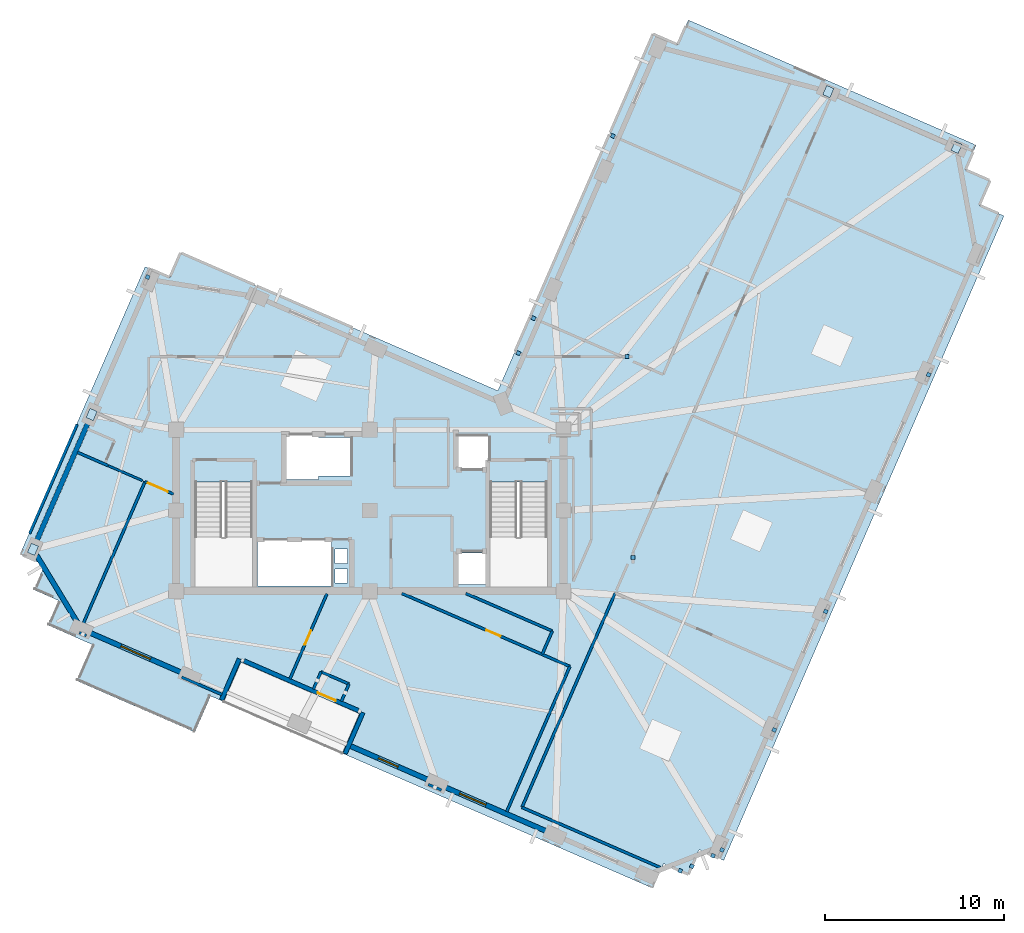
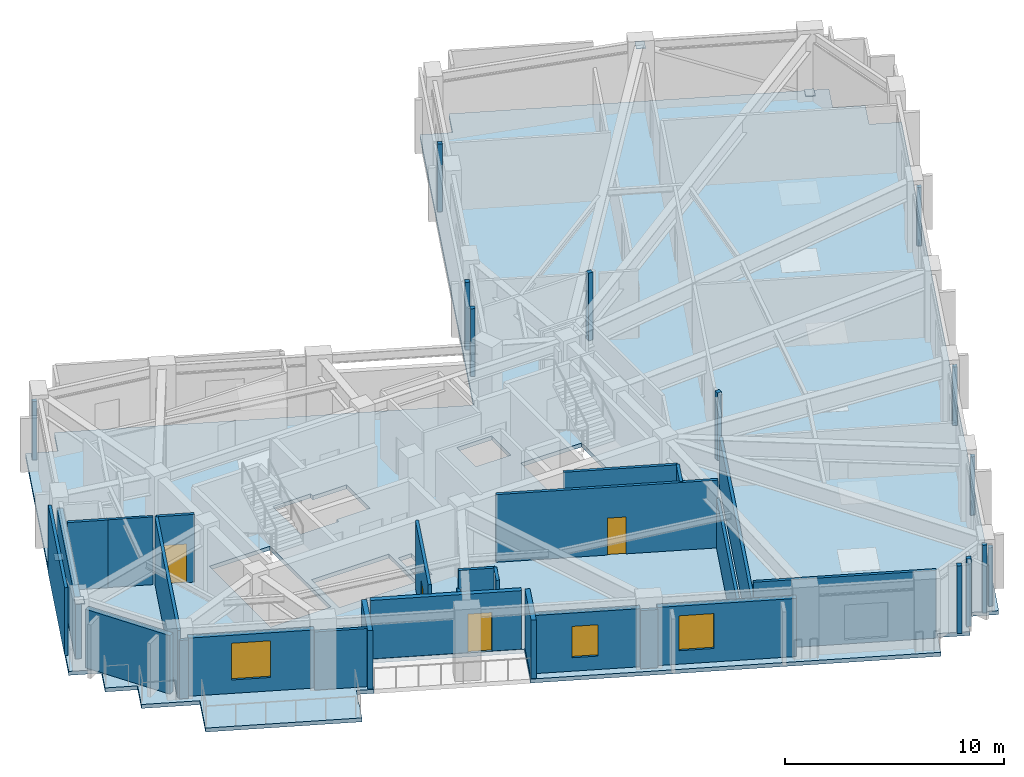
# One storey, part 4 of 12: 26 walls, 17 plates, 4 doors, 3 windows, 1 slab, 7 openings.
"""IFC4 building model written with IfcOpenShell, lengths in metres."""

from ifc_helpers import new_model, si_unit, direction, frame, frame_2d, origin, origin_2d, place, context, subcontext, project, spatial, polyline, rectangle, outline, extrude, material, layer, layer_set, type_object, element, fill, save


model = new_model("IFC4")

# Units and contexts
model_context = context("Model", 3, precision=1e-05, world=origin(), true_north=direction((0.0, 1.0)))
body_context = subcontext(model_context, "Body", "Model", "MODEL_VIEW")
ifc_project = project(units=[si_unit("LENGTHUNIT", "METRE"), si_unit("AREAUNIT", "SQUARE_METRE"), si_unit("VOLUMEUNIT", "CUBIC_METRE"), si_unit("PLANEANGLEUNIT", "RADIAN"), si_unit("MASSUNIT", "GRAM", prefix="KILO")], contexts=[model_context])

# Site, building, storey
site_placement = place(None, origin())
site = spatial("IfcSite", under=ifc_project, at=site_placement, CompositionType="ELEMENT")
building_placement = place(site_placement, origin())
building = spatial("IfcBuilding", under=site, at=building_placement, Name="Gaonmaruhae Medical Tower", CompositionType="ELEMENT")
storey_placement = place(building_placement, frame((0.0, 0.0, 312.60009765625)))
storey = spatial("IfcBuildingStorey", under=building, at=storey_placement, Name="L75", CompositionType="ELEMENT", Elevation=312.60009765625)

# Slab
ifc_material_1 = material(Name="Concrete C40/50", Category="concrete")
ifc_layer_1 = layer(ifc_material_1, 0.219970703125)
ifc_layer_set_1 = layer_set([ifc_layer_1], Name="Concrete C40/50")
slab_type = type_object("IfcSlabType", Name="FS-220 Clinical Ward Composite Floor Slab", PredefinedType="FLOOR", material=ifc_layer_set_1)
slab_placement = place(storey_placement, frame((0.0, 0.0, -0.22021484375)))
element("IfcSlab", 1, at=slab_placement, inside=storey, type_object=slab_type, Name="L75 Structural Slab 1", PredefinedType="FLOOR", context=body_context, shape_type="SweptSolid", body=[
    extrude(outline(polyline([(7.443115234375, 7.276611328125), (6.0673828125, 7.874755859375), (6.665771484375, 9.25048828125), (5.2900390625, 9.848388671875), (12.268310546875, 25.89697265625), (13.643798828125, 25.298828125), (14.241943359375, 26.674560546875), (31.941162109375, 18.978515625), (40.593994140625, 38.87890625), (41.969482421875, 38.28076171875), (42.567626953125, 39.65625), (58.6162109375, 32.67822265625), (58.01806640625, 31.302490234375), (59.393798828125, 30.70458984375), (58.795654296875, 29.328857421875), (60.171142578125, 28.730712890625), (44.540283203125, -7.218017578125), (43.164794921875, -6.619873046875), (42.56640625, -7.995361328125), (41.19091796875, -7.397216796875), (40.5927734375, -8.77294921875), (23.260498046875, -1.236572265625), (24.21728515625, 0.96435546875), (17.614501953125, 3.83544921875), (16.657470703125, 1.634521484375), (15.923828125, 1.953369140625), (15.046630859375, -0.064208984375), (8.44384765625, 2.806884765625), (9.321044921875, 4.824462890625), (6.844970703125, 5.901123046875), (7.443115234375, 7.276611328125)]), holes=[polyline([(23.550048828125, 8.25), (22.85009765625, 8.25), (22.85009765625, 9.050048828125), (23.550048828125, 9.050048828125), (23.550048828125, 8.25)]), polyline([(29.574951171875, 9.925048828125), (31.425048828125, 9.925048828125), (31.425048828125, 8.175048828125), (29.574951171875, 8.175048828125), (29.574951171875, 9.925048828125)]), polyline([(18.550048828125, 10.625), (22.64990234375, 10.625), (22.64990234375, 8.074951171875), (18.550048828125, 8.074951171875), (18.550048828125, 10.625)]), polyline([(23.550048828125, 9.35009765625), (22.85009765625, 9.35009765625), (22.85009765625, 10.14990234375), (23.550048828125, 10.14990234375), (23.550048828125, 9.35009765625)]), polyline([(15.050048828125, 13.889892578125), (18.25, 13.889892578125), (18.25, 8.300048828125), (15.050048828125, 8.300048828125), (15.050048828125, 13.889892578125)]), polyline([(31.5, 13.889892578125), (34.699951171875, 13.889892578125), (34.699951171875, 8.300048828125), (31.5, 8.300048828125), (31.5, 13.889892578125)]), polyline([(23.72509765625, 14.22509765625), (21.949951171875, 14.22509765625), (21.949951171875, 14.02490234375), (19.949951171875, 14.02490234375), (19.949951171875, 16.574951171875), (21.949951171875, 16.574951171875), (21.949951171875, 16.375), (23.72509765625, 16.375), (23.72509765625, 14.22509765625)]), polyline([(31.425048828125, 16.425048828125), (31.425048828125, 14.675048828125), (29.574951171875, 14.675048828125), (29.574951171875, 16.425048828125), (31.425048828125, 16.425048828125)])]), origin(), (0.0, 0.0, 1.0), 0.22021484375),
])

# Plates
ifc_material_2 = material(Name="Steel HSA650 (650 MPa)", Category="steel")
ifc_layer_2 = layer(ifc_material_2, 0.028076171875)
ifc_layer_set_2 = layer_set([ifc_layer_2], Name="Steel HSA650 (650 MPa)")
plate_type_1 = type_object("IfcPlateType", Name="GP-02 Tube Brace End Cap Gusset Plate", PredefinedType="USERDEFINED", material=ifc_layer_set_2)
for number, where, z_axis, x_axis, name in (
    (2, (57.525634765625, 32.552734375, 0.23583984375), (0.0, 0.0, 1.0), (0.398749068925, 0.917060074385, 0.0), "L75 Gusset Cap Plate PLT-L75-PBR-E01A"),
    (3, (50.372802734375, 35.662841796875, 3.515625), (0.0, 0.0, 1.0), (0.398749068925, 0.917060074385, 0.0), "L75 Gusset Cap Plate PLT-L75-PBR-E01B"),
    (4, (9.283447265625, 17.653564453125, 0.23583984375), (0.0, 0.0, 1.0), (0.398749068925, 0.917060074385, 0.0), "L75 Gusset Cap Plate PLT-L75-PBR-N02A"),
    (5, (6.013671875, 10.133544921875, 3.515625), (0.0, 0.0, 1.0), (0.398749068925, 0.917060074385, 0.0), "L75 Gusset Cap Plate PLT-L75-PBR-N02B"),
):
    element("IfcPlate", number, at=place(storey_placement, frame(where, z_axis=z_axis, x_axis=x_axis)), inside=storey, type_object=plate_type_1, Name=name, ObjectType="GUSSET_PLATE", PredefinedType="USERDEFINED", context=body_context, shape_type="SweptSolid", body=[
        extrude(rectangle(XDim=0.56005859375, YDim=0.43994140625, at=origin_2d()), origin(), (0.0, 0.0, 1.0), 0.028076171875),
    ])
ifc_material_3 = material(Name="Anodised aluminium 6063-T6", Category="aluminium")
ifc_layer_3 = layer(ifc_material_3, 0.011962890625)
ifc_layer_set_3 = layer_set([ifc_layer_3], Name="Anodised aluminium 6063-T6")
plate_type_2 = type_object("IfcPlateType", Name="PP-01 Interior Partition Corner Stiffener Plate", PredefinedType="SHEET", material=ifc_layer_set_3)
plate_1_placement = place(storey_placement, frame((42.114501953125, -7.798583984375, 0.0), z_axis=(0.0, 0.0, 1.0), x_axis=(-0.917247878626, 0.398316870288, 0.0)))
element("IfcPlate", 6, at=plate_1_placement, inside=storey, type_object=plate_type_2, Name="L75 Partition Corner Stiffener Plate PLT-L75-JGP-PW008", PredefinedType="SHEET", context=body_context, shape_type="SweptSolid", body=[
    extrude(rectangle(XDim=0.219970703125, YDim=0.219970703125, at=origin_2d()), origin(), (0.0, 0.0, 1.0), 3.780029296875),
])
for number, where, z_axis, x_axis, name in (
    (7, (47.357421875, 0.0625, 0.0), (0.0, 0.0, 1.0), (-0.398765074582, -0.917053114761, 0.0), "L75 Partition Corner Stiffener Plate PLT-L75-JGP-PW012"),
    (8, (44.446044921875, -6.633056640625, 0.0), (0.0, 0.0, 1.0), (-0.399245187787, -0.916844196158, 0.0), "L75 Partition Corner Stiffener Plate PLT-L75-JGP-PW013"),
):
    element("IfcPlate", number, at=place(storey_placement, frame(where, z_axis=z_axis, x_axis=x_axis)), inside=storey, type_object=plate_type_2, Name=name, PredefinedType="SHEET", context=body_context, shape_type="SweptSolid", body=[
        extrude(rectangle(XDim=0.219970703125, YDim=0.219970703125, at=origin_2d()), origin(), (0.0, 0.0, 1.0), 3.264892578125),
    ])
for number, where, z_axis, x_axis, name in (
    (9, (43.94091796875, -6.95703125, 0.0), (0.0, 0.0, 1.0), (-0.917115741319, 0.398621019297, 0.0), "L75 Partition Corner Stiffener Plate PLT-L75-JGP-PW014"),
    (10, (42.763916015625, -7.54248046875, 0.0), (0.0, 0.0, 1.0), (-0.399165176517, -0.916879033383, 0.0), "L75 Partition Corner Stiffener Plate PLT-L75-JGP-PW015"),
    (11, (39.47998046875, 9.6669921875, 0.0), (0.0, 0.0, 1.0), (0.0, 1.0, 0.0), "L75 Partition Corner Stiffener Plate PLT-L75-JGP-PW016"),
):
    element("IfcPlate", number, at=place(storey_placement, frame(where, z_axis=z_axis, x_axis=x_axis)), inside=storey, type_object=plate_type_2, Name=name, PredefinedType="SHEET", context=body_context, shape_type="SweptSolid", body=[
        extrude(rectangle(XDim=0.219970703125, YDim=0.219970703125, at=origin_2d()), origin(), (0.0, 0.0, 1.0), 3.780029296875),
    ])
for number, where, z_axis, x_axis, name in (
    (12, (50.2275390625, 6.66552734375, 0.0), (0.0, 0.0, 1.0), (-0.398765074582, -0.917053114761, 0.0), "L75 Partition Corner Stiffener Plate PLT-L75-JGP-PW019"),
    (13, (55.970458984375, 19.87158203125, 0.0), (0.0, 0.0, 1.0), (-0.398765074582, -0.917053114761, 0.0), "L75 Partition Corner Stiffener Plate PLT-L75-JGP-PW023"),
):
    element("IfcPlate", number, at=place(storey_placement, frame(where, z_axis=z_axis, x_axis=x_axis)), inside=storey, type_object=plate_type_2, Name=name, PredefinedType="SHEET", context=body_context, shape_type="SweptSolid", body=[
        extrude(rectangle(XDim=0.219970703125, YDim=0.219970703125, at=origin_2d()), origin(), (0.0, 0.0, 1.0), 3.264892578125),
    ])
for number, where, z_axis, x_axis, name in (
    (14, (39.155029296875, 20.8798828125, 0.0), (0.0, 0.0, 1.0), (-1.0, 0.0, 0.0), "L75 Partition Corner Stiffener Plate PLT-L75-JGP-PW061"),
    (15, (33.935546875, 23.02099609375, 0.0), (0.0, 0.0, 1.0), (-0.916628049537, 0.399741189774, 0.0), "L75 Partition Corner Stiffener Plate PLT-L75-JGP-PW063"),
    (16, (38.3564453125, 33.18798828125, 0.0), (0.0, 0.0, 1.0), (0.916628049537, -0.399741189774, 0.0), "L75 Partition Corner Stiffener Plate PLT-L75-JGP-PW065"),
):
    element("IfcPlate", number, at=place(storey_placement, frame(where, z_axis=z_axis, x_axis=x_axis)), inside=storey, type_object=plate_type_2, Name=name, PredefinedType="SHEET", context=body_context, shape_type="SweptSolid", body=[
        extrude(rectangle(XDim=0.219970703125, YDim=0.219970703125, at=origin_2d()), origin(), (0.0, 0.0, 1.0), 3.780029296875),
    ])
plate_2_placement = place(storey_placement, frame((12.408935546875, 25.319091796875, 0.0), z_axis=(0.0, 0.0, 1.0), x_axis=(0.399261189676, 0.916837227876, 0.0)))
element("IfcPlate", 17, at=plate_2_placement, inside=storey, type_object=plate_type_2, Name="L75 Partition Corner Stiffener Plate PLT-L75-JGP-PW082", PredefinedType="SHEET", context=body_context, shape_type="SweptSolid", body=[
    extrude(rectangle(XDim=0.219970703125, YDim=0.219970703125, at=origin_2d()), origin(), (0.0, 0.0, 1.0), 3.264892578125),
])
plate_3_placement = place(storey_placement, frame((33.089599609375, 21.074462890625, 0.0), z_axis=(0.0, 0.0, 1.0), x_axis=(-0.917470197664, 0.397804520334, 0.0)))
element("IfcPlate", 18, at=plate_3_placement, inside=storey, type_object=plate_type_2, Name="L75 Partition Corner Stiffener Plate PLT-L75-JGP-PW093", PredefinedType="SHEET", context=body_context, shape_type="SweptSolid", body=[
    extrude(rectangle(XDim=0.219970703125, YDim=0.219970703125, at=origin_2d()), origin(), (0.0, 0.0, 1.0), 3.780029296875),
])

# Wall, opening, door
ifc_material_4 = material(Name="Precast concrete C45/55", Category="concrete")
ifc_layer_4 = layer(ifc_material_4, 0.239990234375)
ifc_layer_set_4 = layer_set([ifc_layer_4], Name="Precast concrete C45/55")
wall_type_1 = type_object("IfcWallType", Name="EW-240 Ribbon & Shelter Insulated Precast Wall", PredefinedType="SOLIDWALL", material=ifc_layer_set_4)
wall_1_placement = place(storey_placement, frame((24.1630859375, 1.140625, 0.0), z_axis=(0.0, 0.0, 1.0), x_axis=(-0.917051093992, 0.39876972178, 0.0)))
wall_1 = element("IfcWall", 19, at=wall_1_placement, inside=storey, type_object=wall_type_1, Name="L75 Recessed Terrace Enclosure Wall TERB", PredefinedType="SOLIDWALL", context=body_context, shape_type="SweptSolid", body=[
    extrude(rectangle(XDim=6.9599609375, YDim=0.239990234375, at=frame_2d((3.47998046875, 0.0))), origin(), (0.0, 0.0, 1.0), 3.264892578125),
])
opening_1_placement = place(wall_1_placement, frame((1.373291015625, 0.0, 0.0)))
opening_1 = element("IfcOpeningElement", 20, at=opening_1_placement, cuts=wall_1, Name="Opening TD-01", PredefinedType="OPENING", context=body_context, shape_type="SweptSolid", body=[
    extrude(rectangle(XDim=1.10009765625, YDim=2.14990234375, at=frame_2d((0.550048828125, 1.074951171875))), frame((0.0, 0.1298828125, 0.0), z_axis=(0.0, -1.0, 0.0), x_axis=(1.0, 0.0, 0.0)), (0.0, 0.0, 1.0), 0.260009765625),
])
ifc_material_5 = material(Name="Anodised aluminium and toughened safety glass", Category="aluminium")
door_type_1 = type_object("IfcDoorType", Name="TD-01 Terrace & Sky Garden Glazed Door 1100x2150", OperationType="NOTDEFINED", PredefinedType="DOOR", material=ifc_material_5)
door_1_placement = place(opening_1_placement, origin())
door_1 = element("IfcDoor", 21, at=door_1_placement, inside=storey, type_object=door_type_1, Name="L75 Outdoor Terrace Access Door SLB-L75-TER", OperationType="SINGLE_SWING_RIGHT", OverallHeight=2.14990234375, OverallWidth=1.10009765625, PredefinedType="DOOR", context=body_context, shape_type="SweptSolid", body=[
    extrude(rectangle(XDim=1.10009765625, YDim=2.14990234375, at=frame_2d((0.550048828125, 1.074951171875))), frame((0.0, 0.02490234375, 0.0), z_axis=(0.0, -1.0, 0.0), x_axis=(1.0, 0.0, 0.0)), (0.0, 0.0, 1.0), 0.050048828125),
])
fill(opening_1, door_1)

# Walls
for number, where, z_axis, x_axis, name in (
    (22, (23.423095703125, -1.263671875, 0.0), (0.0, 0.0, 1.0), (0.398722540586, 0.917071608779, 0.0), "L75 Recessed Terrace Enclosure Wall TERL"),
    (23, (17.523681640625, 4.027587890625, 0.0), (0.0, 0.0, 1.0), (-0.398722540586, -0.917071608779, 0.0), "L75 Recessed Terrace Enclosure Wall TERR"),
):
    element("IfcWall", number, at=place(storey_placement, frame(where, z_axis=z_axis, x_axis=x_axis)), inside=storey, type_object=wall_type_1, Name=name, PredefinedType="SOLIDWALL", context=body_context, shape_type="SweptSolid", body=[
        extrude(rectangle(XDim=2.5, YDim=0.239990234375, at=frame_2d((1.25, 0.0))), origin(), (0.0, 0.0, 1.0), 3.264892578125),
    ])
ifc_layer_5 = layer(ifc_material_4, 0.280029296875)
ifc_layer_set_5 = layer_set([ifc_layer_5], Name="Precast concrete C45/55")
wall_type_2 = type_object("IfcWallType", Name="EW-280 Upper Precast Masonry-Frame Facade Wall", PredefinedType="SOLIDWALL", material=ifc_layer_set_5)
wall_2_placement = place(storey_placement, frame((6.17236328125, 10.498046875, 0.0), z_axis=(0.0, 0.0, 1.0), x_axis=(0.398740578379, 0.917063766133, 0.0)))
element("IfcWall", 24, at=wall_2_placement, inside=storey, type_object=wall_type_2, Name="L75 Precast Masonry-Frame Wall N02-N03", PredefinedType="SOLIDWALL", context=body_context, shape_type="SweptSolid", body=[
    extrude(rectangle(XDim=7.40478515625, YDim=0.280029296875, at=frame_2d((3.702392578125, 0.0))), origin(), (0.0, 0.0, 1.0), 3.264892578125),
])
wall_3_placement = place(storey_placement, frame((8.508544921875, 6.02734375, 0.0), z_axis=(0.0, 0.0, 1.0), x_axis=(-0.51924554751, 0.854625099907, 0.0)))
element("IfcWall", 25, at=wall_3_placement, inside=storey, type_object=wall_type_2, Name="L75 Precast Masonry-Frame Wall N03-W01", PredefinedType="SOLIDWALL", context=body_context, shape_type="SweptSolid", body=[
    extrude(rectangle(XDim=4.406982421875, YDim=0.280029296875, at=frame_2d((2.20361328125, 0.0))), origin(), (0.0, 0.0, 1.0), 3.264892578125),
])

# Wall, opening, window
wall_4_placement = place(storey_placement, frame((14.403076171875, 3.214599609375, 0.0), z_axis=(0.0, 0.0, 1.0), x_axis=(-0.917061363729, 0.398746103624, 0.0)))
wall_4 = element("IfcWall", 26, at=wall_4_placement, inside=storey, type_object=wall_type_2, Name="L75 Precast Masonry-Frame Wall W01-W02", PredefinedType="SOLIDWALL", context=body_context, shape_type="SweptSolid", body=[
    extrude(rectangle(XDim=5.804931640625, YDim=0.280029296875, at=frame_2d((2.90234375, 0.0))), origin(), (0.0, 0.0, 1.0), 3.244873046875),
])
opening_2_placement = place(wall_4_placement, frame((2.00244140625, 0.0, 0.75)))
opening_2 = element("IfcOpeningElement", 27, at=opening_2_placement, cuts=wall_4, Name="Opening WN-04", PredefinedType="OPENING", context=body_context, shape_type="SweptSolid", body=[
    extrude(rectangle(XDim=1.800048828125, YDim=2.050048828125, at=frame_2d((0.89990234375, 1.02490234375))), frame((0.0, 0.14990234375, 0.0), z_axis=(0.0, -1.0, 0.0), x_axis=(1.0, 0.0, 0.0)), (0.0, 0.0, 1.0), 0.300048828125),
])
ifc_material_6 = material(Name="Anodised aluminium and Low-E double glazing", Category="aluminium")
window_type_1 = type_object("IfcWindowType", Name="WN-04 Clinic & Consult Punched Window 1800x2050", PartitioningType="SINGLE_PANEL", PredefinedType="WINDOW", material=ifc_material_6)
window_1_placement = place(opening_2_placement, origin())
window_1 = element("IfcWindow", 28, at=window_1_placement, inside=storey, type_object=window_type_1, Name="L75 Modular Facade Window W01", OverallHeight=2.050048828125, OverallWidth=1.800048828125, PartitioningType="SINGLE_PANEL", PredefinedType="WINDOW", context=body_context, shape_type="SweptSolid", body=[
    extrude(rectangle(XDim=1.800048828125, YDim=2.050048828125, at=frame_2d((0.89990234375, 1.02490234375))), frame((0.0, 0.030029296875, 0.0), z_axis=(0.0, -1.0, 0.0), x_axis=(1.0, 0.0, 0.0)), (0.0, 0.0, 1.0), 0.06005859375),
])
fill(opening_2, window_1)

wall_5_placement = place(storey_placement, frame((28.158935546875, -2.766845703125, 0.0), z_axis=(0.0, 0.0, 1.0), x_axis=(-0.917054285326, 0.398762382586, 0.0)))
wall_5 = element("IfcWall", 29, at=wall_5_placement, inside=storey, type_object=wall_type_2, Name="L75 Precast Masonry-Frame Wall W03-W04", PredefinedType="SOLIDWALL", context=body_context, shape_type="SweptSolid", body=[
    extrude(rectangle(XDim=4.92236328125, YDim=0.280029296875, at=frame_2d((2.461181640625, 0.0))), origin(), (0.0, 0.0, 1.0), 3.244873046875),
])
opening_3_placement = place(wall_5_placement, frame((1.936279296875, 0.0, 0.75)))
opening_3 = element("IfcOpeningElement", 30, at=opening_3_placement, cuts=wall_5, Name="Opening WN-05", PredefinedType="OPENING", context=body_context, shape_type="SweptSolid", body=[
    extrude(rectangle(XDim=1.199951171875, YDim=1.75, at=frame_2d((0.60009765625, 0.875))), frame((0.0, 0.14990234375, 0.0), z_axis=(0.0, -1.0, 0.0), x_axis=(1.0, 0.0, 0.0)), (0.0, 0.0, 1.0), 0.300048828125),
])
window_type_2 = type_object("IfcWindowType", Name="WN-05 Support & Staff Punched Window 1200x1750", PartitioningType="SINGLE_PANEL", PredefinedType="WINDOW", material=ifc_material_6)
window_2_placement = place(opening_3_placement, origin())
window_2 = element("IfcWindow", 31, at=window_2_placement, inside=storey, type_object=window_type_2, Name="L75 Modular Facade Window W03", OverallHeight=1.75, OverallWidth=1.199951171875, PartitioningType="SINGLE_PANEL", PredefinedType="WINDOW", context=body_context, shape_type="SweptSolid", body=[
    extrude(rectangle(XDim=1.199951171875, YDim=1.75, at=frame_2d((0.60009765625, 0.875))), frame((0.0, 0.030029296875, 0.0), z_axis=(0.0, -1.0, 0.0), x_axis=(1.0, 0.0, 0.0)), (0.0, 0.0, 1.0), 0.06005859375),
])
fill(opening_3, window_2)

wall_6_placement = place(storey_placement, frame((34.76171875, -5.6376953125, 0.0), z_axis=(0.0, 0.0, 1.0), x_axis=(-0.917056117272, 0.398758169539, 0.0)))
wall_6 = element("IfcWall", 32, at=wall_6_placement, inside=storey, type_object=wall_type_2, Name="L75 Precast Masonry-Frame Wall W04-W05", PredefinedType="SOLIDWALL", context=body_context, shape_type="SweptSolid", body=[
    extrude(rectangle(XDim=6.40478515625, YDim=0.280029296875, at=frame_2d((3.202392578125, 0.0))), origin(), (0.0, 0.0, 1.0), 3.244873046875),
])
opening_4_placement = place(wall_6_placement, frame((3.80126953125, 0.0, 0.75)))
opening_4 = element("IfcOpeningElement", 33, at=opening_4_placement, cuts=wall_6, Name="Opening WN-01", PredefinedType="OPENING", context=body_context, shape_type="SweptSolid", body=[
    extrude(rectangle(XDim=1.60009765625, YDim=1.949951171875, at=frame_2d((0.800048828125, 0.97509765625))), frame((0.0, 0.14990234375, 0.0), z_axis=(0.0, -1.0, 0.0), x_axis=(1.0, 0.0, 0.0)), (0.0, 0.0, 1.0), 0.300048828125),
])
window_type_3 = type_object("IfcWindowType", Name="WN-01 Ward Punched Acoustic Window 1600x1950", PartitioningType="SINGLE_PANEL", PredefinedType="WINDOW", material=ifc_material_6)
window_3_placement = place(opening_4_placement, origin())
window_3 = element("IfcWindow", 34, at=window_3_placement, inside=storey, type_object=window_type_3, Name="L75 Modular Facade Window W04", OverallHeight=1.949951171875, OverallWidth=1.60009765625, PartitioningType="SINGLE_PANEL", PredefinedType="WINDOW", context=body_context, shape_type="SweptSolid", body=[
    extrude(rectangle(XDim=1.60009765625, YDim=1.949951171875, at=frame_2d((0.800048828125, 0.97509765625))), frame((0.0, 0.030029296875, 0.0), z_axis=(0.0, -1.0, 0.0), x_axis=(1.0, 0.0, 0.0)), (0.0, 0.0, 1.0), 0.06005859375),
])
fill(opening_4, window_3)

# Walls
ifc_material_7 = material(Name="Gypsum board partition", Category="gypsum")
ifc_layer_6 = layer(ifc_material_7, 0.125)
ifc_layer_set_6 = layer_set([ifc_layer_6], Name="Gypsum board partition")
wall_type_3 = type_object("IfcWallType", Name="PW-125 Ward & En-Suite Acoustic Partition", PredefinedType="PARTITIONING", material=ifc_layer_set_6)
wall_7_placement = place(storey_placement, frame((10.219970703125, 14.79296875, 0.0), z_axis=(0.0, 0.0, 1.0), x_axis=(0.916985473765, -0.398920594735, 0.0)))
element("IfcWall", 35, at=wall_7_placement, inside=storey, type_object=wall_type_3, Name="L75 Interior Partition L75-ENS01-51", PredefinedType="PARTITIONING", context=body_context, shape_type="SweptSolid", body=[
    extrude(rectangle(XDim=2.0654296875, YDim=0.125, at=frame_2d((1.03271484375, 0.0))), origin(), (0.0, 0.0, 1.0), 3.77978515625),
])
ifc_layer_7 = layer(ifc_material_7, 0.14990234375)
ifc_layer_set_7 = layer_set([ifc_layer_7], Name="Gypsum board partition")
wall_type_4 = type_object("IfcWallType", Name="PW-150 Rated Clinical Corridor Partition", PredefinedType="PARTITIONING", material=ifc_layer_set_7)
wall_8_placement = place(storey_placement, frame((41.0, -7.614990234375, 0.0), z_axis=(0.0, 0.0, 1.0), x_axis=(-0.917025755435, 0.398827987821, 0.0)))
element("IfcWall", 36, at=wall_8_placement, inside=storey, type_object=wall_type_4, Name="L75 Interior Partition L75-SUP01-9", PredefinedType="PARTITIONING", context=body_context, shape_type="SweptSolid", body=[
    extrude(rectangle(XDim=8.412109375, YDim=0.14990234375, at=frame_2d((4.2060546875, 0.0))), origin(), (0.0, 0.0, 1.0), 3.77978515625),
])
wall_9_placement = place(storey_placement, frame((33.285888671875, -4.260009765625, 0.0), z_axis=(0.0, 0.0, 1.0), x_axis=(0.398794571869, 0.9170402878, 0.0)))
element("IfcWall", 37, at=wall_9_placement, inside=storey, type_object=wall_type_4, Name="L75 Interior Partition L75-SUP01-10", PredefinedType="PARTITIONING", context=body_context, shape_type="SweptSolid", body=[
    extrude(rectangle(XDim=13.039794921875, YDim=0.14990234375, at=frame_2d((6.52001953125, 0.0))), origin(), (0.0, 0.0, 1.0), 2.764892578125),
])
wall_10_placement = place(storey_placement, frame((28.7958984375, -3.294921875, 0.0), z_axis=(0.0, 0.0, 1.0), x_axis=(-0.91709935105, 0.398658726612, 0.0)))
element("IfcWall", 38, at=wall_10_placement, inside=storey, type_object=wall_type_4, Name="L75 Interior Partition L75-WOF05-31", PredefinedType="PARTITIONING", context=body_context, shape_type="SweptSolid", body=[
    extrude(rectangle(XDim=0.794921875, YDim=0.14990234375, at=frame_2d((0.3974609375, 0.0))), origin(), (0.0, 0.0, 1.0), 3.244873046875),
])
wall_11_placement = place(storey_placement, frame((23.217041015625, 1.656005859375, 0.0), z_axis=(0.0, 0.0, 1.0), x_axis=(0.399081590712, 0.916915418103, 0.0)))
element("IfcWall", 39, at=wall_11_placement, inside=storey, type_object=wall_type_4, Name="L75 Interior Partition L75-WOF05-32", PredefinedType="PARTITIONING", context=body_context, shape_type="SweptSolid", body=[
    extrude(rectangle(XDim=1.0546875, YDim=0.14990234375, at=frame_2d((0.52734375, 0.0))), origin(), (0.0, 0.0, 1.0), 3.77978515625),
])
wall_12_placement = place(storey_placement, frame((23.637939453125, 2.623046875, 0.0), z_axis=(0.0, 0.0, 1.0), x_axis=(-0.917022099739, 0.398836393262, 0.0)))
element("IfcWall", 40, at=wall_12_placement, inside=storey, type_object=wall_type_4, Name="L75 Interior Partition L75-WOF05-33", PredefinedType="PARTITIONING", context=body_context, shape_type="SweptSolid", body=[
    extrude(rectangle(XDim=1.699951171875, YDim=0.14990234375, at=frame_2d((0.85009765625, 0.0))), origin(), (0.0, 0.0, 1.0), 3.77978515625),
])
wall_13_placement = place(storey_placement, frame((22.0791015625, 3.301025390625, 0.0), z_axis=(0.0, 0.0, 1.0), x_axis=(-0.399276181733, -0.916830699039, 0.0)))
element("IfcWall", 41, at=wall_13_placement, inside=storey, type_object=wall_type_4, Name="L75 Interior Partition L75-WOF05-34", PredefinedType="PARTITIONING", context=body_context, shape_type="SweptSolid", body=[
    extrude(rectangle(XDim=1.0546875, YDim=0.14990234375, at=frame_2d((0.52734375, 0.0))), origin(), (0.0, 0.0, 1.0), 2.744873046875),
])

# Wall, opening, door
wall_14_placement = place(storey_placement, frame((20.344970703125, 2.905029296875, 0.0), z_axis=(0.0, 0.0, 1.0), x_axis=(0.398819215719, 0.917029570501, 0.0)))
wall_14 = element("IfcWall", 42, at=wall_14_placement, inside=storey, type_object=wall_type_4, Name="L75 Interior Partition L75-WOF05-35", PredefinedType="PARTITIONING", context=body_context, shape_type="SweptSolid", body=[
    extrude(rectangle(XDim=5.177734375, YDim=0.14990234375, at=frame_2d((2.5888671875, 0.0))), origin(), (0.0, 0.0, 1.0), 3.77978515625),
])
opening_5_placement = place(wall_14_placement, frame((2.0751953125, 0.0, 0.0)))
opening_5 = element("IfcOpeningElement", 43, at=opening_5_placement, cuts=wall_14, Name="Opening AD-01", PredefinedType="OPENING", context=body_context, shape_type="SweptSolid", body=[
    extrude(rectangle(XDim=0.860107421875, YDim=2.06005859375, at=frame_2d((0.43017578125, 1.030029296875))), frame((0.0, 0.0849609375, 0.0), z_axis=(0.0, -1.0, 0.0), x_axis=(1.0, 0.0, 0.0)), (0.0, 0.0, 1.0), 0.169921875),
])
ifc_material_8 = material(Name="Powder-coated steel access door", Category="steel")
door_type_2 = type_object("IfcDoorType", Name="AD-01 Riser & Closet Access Fire Door 860x2060", OperationType="NOTDEFINED", PredefinedType="DOOR", material=ifc_material_8)
door_2_placement = place(opening_5_placement, origin())
door_2 = element("IfcDoor", 44, at=door_2_placement, inside=storey, type_object=door_type_2, Name="L75 Ward Physician Reporting Office Sliding Door", OperationType="SLIDING_TO_LEFT", OverallHeight=2.06005859375, OverallWidth=0.860107421875, PredefinedType="DOOR", context=body_context, shape_type="SweptSolid", body=[
    extrude(rectangle(XDim=0.860107421875, YDim=2.06005859375, at=frame_2d((0.43017578125, 1.030029296875))), frame((0.0, 0.02490234375, 0.0), z_axis=(0.0, -1.0, 0.0), x_axis=(1.0, 0.0, 0.0)), (0.0, 0.0, 1.0), 0.050048828125),
])
fill(opening_5, door_2)

wall_15_placement = place(storey_placement, frame((26.589111328125, 7.675048828125, 0.0), z_axis=(0.0, 0.0, 1.0), x_axis=(0.917085632944, -0.398690283112, 0.0)))
wall_15 = element("IfcWall", 45, at=wall_15_placement, inside=storey, type_object=wall_type_4, Name="L75 Interior Partition L75-WOF05-36", PredefinedType="PARTITIONING", context=body_context, shape_type="SweptSolid", body=[
    extrude(rectangle(XDim=10.216064453125, YDim=0.14990234375, at=frame_2d((5.10791015625, 0.0))), origin(), (0.0, 0.0, 1.0), 3.77978515625),
])
opening_6_placement = place(wall_15_placement, frame((5.130615234375, 0.0, 0.0)))
opening_6 = element("IfcOpeningElement", 46, at=opening_6_placement, cuts=wall_15, Name="Opening AD-01", PredefinedType="OPENING", context=body_context, shape_type="SweptSolid", body=[
    extrude(rectangle(XDim=0.860107421875, YDim=2.06005859375, at=frame_2d((0.43017578125, 1.030029296875))), frame((0.0, 0.0849609375, 0.0), z_axis=(0.0, -1.0, 0.0), x_axis=(1.0, 0.0, 0.0)), (0.0, 0.0, 1.0), 0.169921875),
])
door_3_placement = place(opening_6_placement, origin())
door_3 = element("IfcDoor", 47, at=door_3_placement, inside=storey, type_object=door_type_2, Name="L75 Clinical Case Review Office Sliding Door", OperationType="SLIDING_TO_LEFT", OverallHeight=2.06005859375, OverallWidth=0.860107421875, PredefinedType="DOOR", context=body_context, shape_type="SweptSolid", body=[
    extrude(rectangle(XDim=0.860107421875, YDim=2.06005859375, at=frame_2d((0.43017578125, 1.030029296875))), frame((0.0, 0.02490234375, 0.0), z_axis=(0.0, -1.0, 0.0), x_axis=(1.0, 0.0, 0.0)), (0.0, 0.0, 1.0), 0.050048828125),
])
fill(opening_6, door_3)

# Walls
wall_16_placement = place(storey_placement, frame((35.9580078125, 3.60205078125, 0.0), z_axis=(0.0, 0.0, 1.0), x_axis=(-0.398756424957, -0.917056875857, 0.0)))
element("IfcWall", 48, at=wall_16_placement, inside=storey, type_object=wall_type_4, Name="L75 Interior Partition L75-WOF05-37", PredefinedType="PARTITIONING", context=body_context, shape_type="SweptSolid", body=[
    extrude(rectangle(XDim=8.8349609375, YDim=0.14990234375, at=frame_2d((4.41748046875, 0.0))), origin(), (0.0, 0.0, 1.0), 2.764892578125),
])
wall_17_placement = place(storey_placement, frame((16.551025390625, 2.030029296875, 0.0), z_axis=(0.0, 0.0, 1.0), x_axis=(-0.917074823453, 0.398715146676, 0.0)))
element("IfcWall", 49, at=wall_17_placement, inside=storey, type_object=wall_type_4, Name="L75 Interior Partition L75-WOF06-38", PredefinedType="PARTITIONING", context=body_context, shape_type="SweptSolid", body=[
    extrude(rectangle(XDim=2.442626953125, YDim=0.14990234375, at=frame_2d((1.22119140625, 0.0))), origin(), (0.0, 0.0, 1.0), 3.244873046875),
])
wall_18_placement = place(storey_placement, frame((8.988037109375, 5.318115234375, 0.0), z_axis=(0.0, 0.0, 1.0), x_axis=(-0.916831392251, 0.399274589954, 0.0)))
element("IfcWall", 50, at=wall_18_placement, inside=storey, type_object=wall_type_4, Name="L75 Interior Partition L75-WOF06-39", PredefinedType="PARTITIONING", context=body_context, shape_type="SweptSolid", body=[
    extrude(rectangle(XDim=0.423095703125, YDim=0.14990234375, at=frame_2d((0.21142578125, 0.0))), origin(), (0.0, 0.0, 1.0), 3.264892578125),
])
wall_19_placement = place(storey_placement, frame((8.60009765625, 5.487060546875, 0.0), z_axis=(0.0, 0.0, 1.0), x_axis=(0.398808773401, 0.917034111829, 0.0)))
element("IfcWall", 51, at=wall_19_placement, inside=storey, type_object=wall_type_4, Name="L75 Interior Partition L75-WOF06-40", PredefinedType="PARTITIONING", context=body_context, shape_type="SweptSolid", body=[
    extrude(rectangle(XDim=9.179443359375, YDim=0.14990234375, at=frame_2d((4.58984375, 0.0))), origin(), (0.0, 0.0, 1.0), 3.77978515625),
])

# Wall, opening, door
wall_20_placement = place(storey_placement, frame((12.260986328125, 13.905029296875, 0.0), z_axis=(0.0, 0.0, 1.0), x_axis=(0.91708123515, -0.398700398965, 0.0)))
wall_20 = element("IfcWall", 52, at=wall_20_placement, inside=storey, type_object=wall_type_4, Name="L75 Interior Partition L75-WOF06-41", PredefinedType="PARTITIONING", context=body_context, shape_type="SweptSolid", body=[
    extrude(rectangle(XDim=1.736083984375, YDim=0.14990234375, at=frame_2d((0.8681640625, 0.0))), origin(), (0.0, 0.0, 1.0), 3.77978515625),
])
opening_7_placement = place(wall_20_placement, frame((0.184326171875, 0.0, 0.0)))
opening_7 = element("IfcOpeningElement", 53, at=opening_7_placement, cuts=wall_20, Name="Opening CD-02", PredefinedType="OPENING", context=body_context, shape_type="SweptSolid", body=[
    extrude(rectangle(XDim=1.199951171875, YDim=2.14990234375, at=frame_2d((0.60009765625, 1.074951171875))), frame((0.0, 0.0849609375, 0.0), z_axis=(0.0, -1.0, 0.0), x_axis=(1.0, 0.0, 0.0)), (0.0, 0.0, 1.0), 0.169921875),
])
ifc_material_9 = material(Name="Antimicrobial laminate timber fire door", Category="wood")
door_type_3 = type_object("IfcDoorType", Name="CD-02 Clinical Treatment & Procedure Door 1200x2150", OperationType="NOTDEFINED", PredefinedType="DOOR", material=ifc_material_9)
door_4_placement = place(opening_7_placement, origin())
door_4 = element("IfcDoor", 54, at=door_4_placement, inside=storey, type_object=door_type_3, Name="L75 Ward Physician Reporting Office Door", OperationType="SINGLE_SWING_LEFT", OverallHeight=2.14990234375, OverallWidth=1.199951171875, PredefinedType="DOOR", context=body_context, shape_type="SweptSolid", body=[
    extrude(rectangle(XDim=1.199951171875, YDim=2.14990234375, at=frame_2d((0.60009765625, 1.074951171875))), frame((0.0, 0.02490234375, 0.0), z_axis=(0.0, -1.0, 0.0), x_axis=(1.0, 0.0, 0.0)), (0.0, 0.0, 1.0), 0.050048828125),
])
fill(opening_7, door_4)

# Walls
wall_21_placement = place(storey_placement, frame((8.491943359375, 15.5439453125, 0.0), z_axis=(0.0, 0.0, 1.0), x_axis=(0.917176199692, -0.398481892585, 0.0)))
element("IfcWall", 55, at=wall_21_placement, inside=storey, type_object=wall_type_4, Name="L75 Interior Partition L75-BR01-44", PredefinedType="PARTITIONING", context=body_context, shape_type="SweptSolid", body=[
    extrude(rectangle(XDim=1.8642578125, YDim=0.14990234375, at=frame_2d((0.93212890625, 0.0))), origin(), (0.0, 0.0, 1.0), 3.77978515625),
])
wall_22_placement = place(storey_placement, frame((30.14990234375, 7.675048828125, 0.0), z_axis=(0.0, 0.0, 1.0), x_axis=(0.917103960726, -0.398648122059, 0.0)))
element("IfcWall", 56, at=wall_22_placement, inside=storey, type_object=wall_type_4, Name="L75 Interior Partition L75-RM01-87", PredefinedType="PARTITIONING", context=body_context, shape_type="SweptSolid", body=[
    extrude(rectangle(XDim=5.265625, YDim=0.14990234375, at=frame_2d((2.6328125, 0.0))), origin(), (0.0, 0.0, 1.0), 3.77978515625),
])
wall_23_placement = place(storey_placement, frame((34.97900390625, 5.575927734375, 0.0), z_axis=(0.0, 0.0, 1.0), x_axis=(-0.399236039494, -0.916848179782, 0.0)))
element("IfcWall", 57, at=wall_23_placement, inside=storey, type_object=wall_type_4, Name="L75 Interior Partition L75-RM01-88", PredefinedType="PARTITIONING", context=body_context, shape_type="SweptSolid", body=[
    extrude(rectangle(XDim=1.400390625, YDim=0.14990234375, at=frame_2d((0.7001953125, 0.0))), origin(), (0.0, 0.0, 1.0), 3.77978515625),
])
wall_24_placement = place(storey_placement, frame((5.827880859375, 11.010009765625, 0.0), z_axis=(0.0, 0.0, 1.0), x_axis=(0.398767783479, 0.917051936838, 0.0)))
element("IfcWall", 58, at=wall_24_placement, inside=storey, type_object=wall_type_4, Name="L75 Interior Partition L75-RM02-89", PredefinedType="PARTITIONING", context=body_context, shape_type="SweptSolid", body=[
    extrude(rectangle(XDim=6.640869140625, YDim=0.14990234375, at=frame_2d((3.3203125, 0.0))), origin(), (0.0, 0.0, 1.0), 3.77978515625),
])

save(model, "model.ifc")
